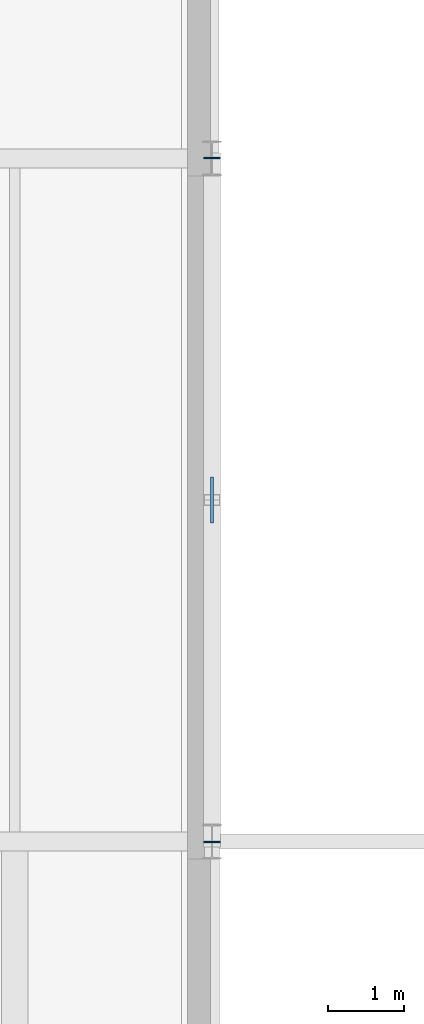
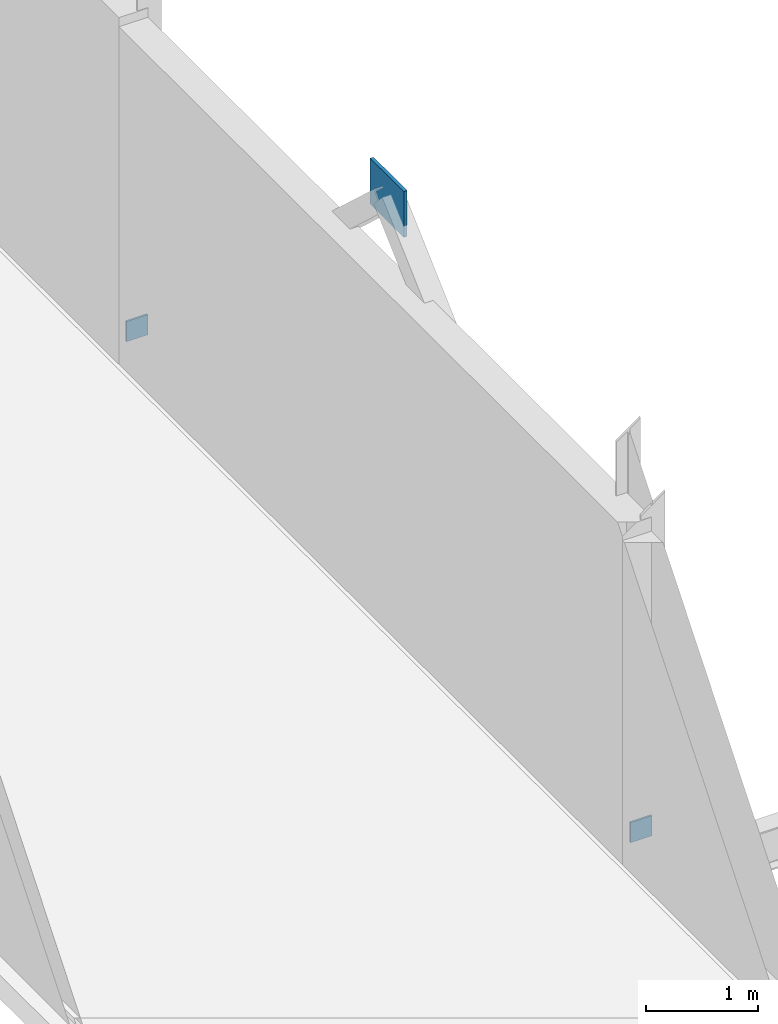
# One storey, part 85 of 102: 3 plates.
"""IFC4 building model written with IfcOpenShell, lengths in metres."""

from ifc_helpers import new_model, si_unit, derived_unit, direction, frame, origin, origin_2d, place, context, subcontext, project, spatial, rectangle, extrude, material, layer, layer_set, type_object, element, save


model = new_model("IFC4")

# Units and contexts
model_context = context("Model", 3, precision=1e-05, world=origin(), true_north=direction((0.0, 1.0)))
body_context = subcontext(model_context, "Body", "Model", "MODEL_VIEW")
ifc_project = project(units=[si_unit("LENGTHUNIT", "METRE"), si_unit("AREAUNIT", "SQUARE_METRE"), si_unit("VOLUMEUNIT", "CUBIC_METRE"), si_unit("PLANEANGLEUNIT", "RADIAN"), si_unit("MASSUNIT", "GRAM", prefix="KILO"), derived_unit("THERMALTRANSMITTANCEUNIT", [(si_unit("POWERUNIT", "WATT"), 1), (si_unit("LENGTHUNIT", "METRE"), -2), (si_unit("THERMODYNAMICTEMPERATUREUNIT", "KELVIN"), -1)])], contexts=[model_context])

# Site, building, storey
site_placement = place(None, origin())
site = spatial("IfcSite", under=ifc_project, at=site_placement, CompositionType="ELEMENT")
building_placement = place(site_placement, origin())
building = spatial("IfcBuilding", under=site, at=building_placement, Name="Nallur Shell Playhouse", CompositionType="ELEMENT")
storey_placement = place(building_placement, frame((0.0, 0.0, 15.0)))
storey = spatial("IfcBuildingStorey", under=building, at=storey_placement, Name="L04", CompositionType="ELEMENT", Elevation=15.0)

# Plates
ifc_material = material(Name="Steel E350", Category="steel")
ifc_layer_1 = layer(ifc_material, 0.02001953125)
ifc_layer_set_1 = layer_set([ifc_layer_1], Name="Steel E350")
plate_type_1 = type_object("IfcPlateType", Name="PT-ENDCAP-20", PredefinedType="SHEET", material=ifc_layer_set_1)
for number, where, z_axis, x_axis, name in (
    (1, (103.0, 55.99267578125, 0.033203125), (0.0, 0.0, 1.0), (1.0, 0.0, 0.0), "Hollow end cap EC-BR-FT-L04-027-0"),
    (2, (103.0, 65.00732421875, 0.033203125), (0.0, 0.0, 1.0), (1.0, 0.0, 0.0), "Hollow end cap EC-BR-FT-L04-028-0"),
):
    element("IfcPlate", number, at=place(storey_placement, frame(where, z_axis=z_axis, x_axis=x_axis)), inside=storey, type_object=plate_type_1, Name=name, PredefinedType="SHEET", context=body_context, shape_type="SweptSolid", body=[
        extrude(rectangle(XDim=0.219970703125, YDim=0.02001953125, at=origin_2d()), origin(), (0.0, 0.0, 1.0), 0.219970703125),
    ])
ifc_layer_2 = layer(ifc_material, 0.034912109375)
ifc_layer_set_2 = layer_set([ifc_layer_2], Name="Steel E350")
plate_type_2 = type_object("IfcPlateType", Name="PT-GUSSET-35", PredefinedType="USERDEFINED", material=ifc_layer_set_2)
plate_placement = place(storey_placement, frame((103.0, 60.5, 4.050048828125), z_axis=(0.0, 0.0, 1.0), x_axis=(1.0, 0.0, 0.0)))
element("IfcPlate", 3, at=plate_placement, inside=storey, type_object=plate_type_2, Name="Fly tower chevron node gusset plate TN-02 (L04)", ObjectType="GUSSET PLATE", PredefinedType="USERDEFINED", context=body_context, shape_type="SweptSolid", body=[
    extrude(rectangle(XDim=0.034912109375, YDim=0.60009765625, at=origin_2d()), origin(), (0.0, 0.0, 1.0), 0.5),
])

save(model, "model.ifc")
